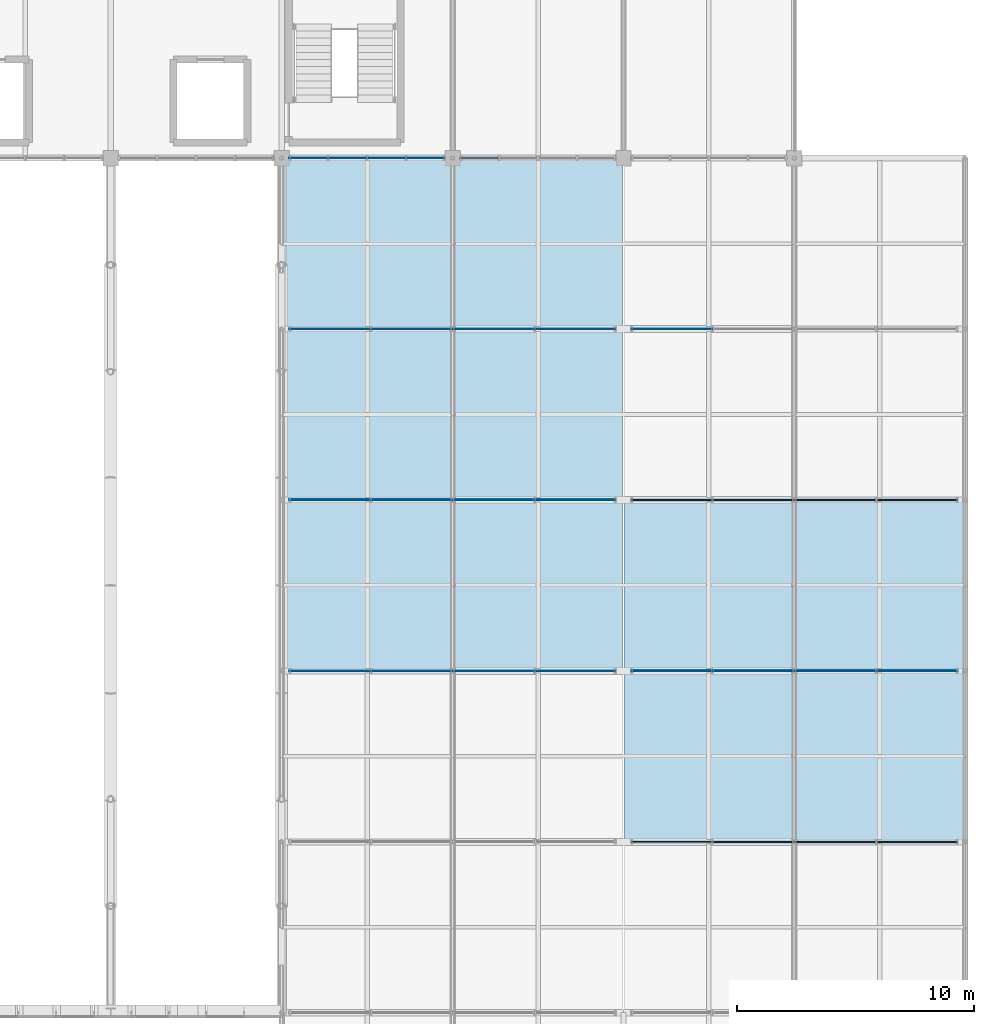
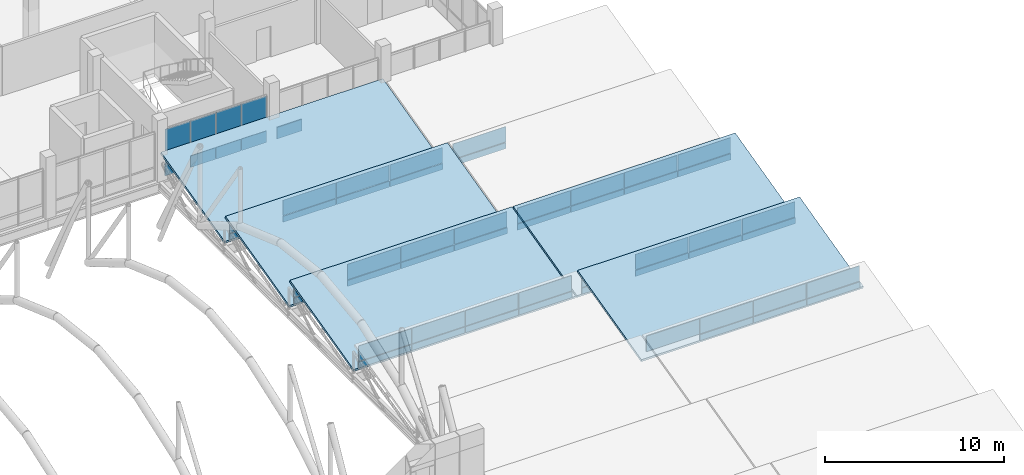
# One storey, part 95 of 144: 58 plates, 5 slabs, 10 elements without a shape of their own.
"""IFC4 building model written with IfcOpenShell, lengths in metres."""

from ifc_helpers import new_model, si_unit, direction, frame, origin, origin_2d, place, context, subcontext, project, spatial, polyline, rectangle, outline, extrude, material, layer, layer_set, type_object, element, aggregate, save


model = new_model("IFC4")

# Units and contexts
model_context = context("Model", 3, precision=1e-05, world=origin(), true_north=direction((0.0, 1.0)))
body_context = subcontext(model_context, "Body", "Model", "MODEL_VIEW")
ifc_project = project(units=[si_unit("LENGTHUNIT", "METRE"), si_unit("AREAUNIT", "SQUARE_METRE"), si_unit("VOLUMEUNIT", "CUBIC_METRE"), si_unit("PLANEANGLEUNIT", "RADIAN"), si_unit("MASSUNIT", "GRAM", prefix="KILO")], contexts=[model_context])

# Site, building, storey
site_placement = place(None, origin())
site = spatial("IfcSite", under=ifc_project, at=site_placement, CompositionType="ELEMENT")
building_placement = place(site_placement, origin())
building = spatial("IfcBuilding", under=site, at=building_placement, Name="Yarey Park Central Fire Station", CompositionType="ELEMENT")
storey_placement = place(building_placement, frame((0.0, 0.0, 10.199951171875)))
storey = spatial("IfcBuildingStorey", under=building, at=storey_placement, Name="L03", CompositionType="ELEMENT", Elevation=10.199951171875)

# Curtain wall, plates
ifc_material_1 = material(Name="Anodized Aluminium Frame", Category="aluminium")
curtain_wall_type_1 = type_object("IfcCurtainWallType", Name="ENV_CW_HQ_L03", PredefinedType="NOTDEFINED", material=ifc_material_1)
curtain_wall_1_placement = place(storey_placement, origin())
curtain_wall_1 = element("IfcCurtainWall", 1, at=curtain_wall_1_placement, inside=storey, type_object=curtain_wall_type_1, Name="CW_L03_V4_S_4", PredefinedType="NOTDEFINED")
ifc_material_2 = material(Name="Insulated Aluminium Spandrel Panel", Category="aluminium")
ifc_layer_1 = layer(ifc_material_2, 0.055908203125)
ifc_layer_set_1 = layer_set([ifc_layer_1], Name="Insulated Aluminium Spandrel Panel")
plate_type_1 = type_object("IfcPlateType", Name="ENV_PNL_SPN_01", PredefinedType="CURTAIN_PANEL", material=ifc_layer_set_1)
plate_1_placement = place(storey_placement, frame((137.9326171875, 93.60009765625, 0.04248046875), z_axis=(0.0, 0.0, 1.0), x_axis=(1.0, 0.0, 0.0)))
plate_1 = element("IfcPlate", 2, at=plate_1_placement, type_object=plate_type_1, Name="CW_L03_V4_S_4_PNL01", PredefinedType="CURTAIN_PANEL", context=body_context, shape_type="SweptSolid", body=[
    extrude(rectangle(XDim=1.60498046875, YDim=0.055908203125, at=origin_2d()), origin(), (0.0, 0.0, 1.0), 0.7900390625),
])
plate_2_placement = place(storey_placement, frame((139.577392578125, 93.60009765625, 0.04248046875), z_axis=(0.0, 0.0, 1.0), x_axis=(1.0, 0.0, 0.0)))
plate_2 = element("IfcPlate", 3, at=plate_2_placement, type_object=plate_type_1, Name="CW_L03_V4_S_4_PNL03", PredefinedType="CURTAIN_PANEL", context=body_context, shape_type="SweptSolid", body=[
    extrude(rectangle(XDim=1.60498046875, YDim=0.055908203125, at=origin_2d()), origin(), (0.0, 0.0, 1.0), 0.7900390625),
])
plate_3_placement = place(storey_placement, frame((141.222412109375, 93.60009765625, 0.04248046875), z_axis=(0.0, 0.0, 1.0), x_axis=(1.0, 0.0, 0.0)))
plate_3 = element("IfcPlate", 4, at=plate_3_placement, type_object=plate_type_1, Name="CW_L03_V4_S_4_PNL05", PredefinedType="CURTAIN_PANEL", context=body_context, shape_type="SweptSolid", body=[
    extrude(rectangle(XDim=1.60498046875, YDim=0.055908203125, at=origin_2d()), origin(), (0.0, 0.0, 1.0), 0.7900390625),
])
plate_4_placement = place(storey_placement, frame((142.867431640625, 93.60009765625, 0.04248046875), z_axis=(0.0, 0.0, 1.0), x_axis=(1.0, 0.0, 0.0)))
plate_4 = element("IfcPlate", 5, at=plate_4_placement, type_object=plate_type_1, Name="CW_L03_V4_S_4_PNL07", PredefinedType="CURTAIN_PANEL", context=body_context, shape_type="SweptSolid", body=[
    extrude(rectangle(XDim=1.60498046875, YDim=0.055908203125, at=origin_2d()), origin(), (0.0, 0.0, 1.0), 0.7900390625),
])

curtain_wall_type_2 = type_object("IfcCurtainWallType", Name="ENV_CW_SAW_18", PredefinedType="NOTDEFINED", material=ifc_material_1)
curtain_wall_2_placement = place(storey_placement, origin())
curtain_wall_2 = element("IfcCurtainWall", 6, at=curtain_wall_2_placement, inside=storey, type_object=curtain_wall_type_2, Name="CW_L03_SAW_4_1", PredefinedType="NOTDEFINED")
plate_5_placement = place(storey_placement, frame((149.16748046875, 72.0, 0.04248046875), z_axis=(0.0, 0.0, 1.0), x_axis=(-1.0, 0.0, 0.0)))
plate_5 = element("IfcPlate", 7, at=plate_5_placement, type_object=plate_type_1, Name="CW_L03_SAW_4_1_PNL01", PredefinedType="CURTAIN_PANEL", context=body_context, shape_type="SweptSolid", body=[
    extrude(rectangle(XDim=3.405029296875, YDim=0.055908203125, at=origin_2d()), origin(), (0.0, 0.0, 1.0), 0.4140625),
])
plate_6_placement = place(storey_placement, frame((145.722412109375, 72.0, 0.04248046875), z_axis=(0.0, 0.0, 1.0), x_axis=(-1.0, 0.0, 0.0)))
plate_6 = element("IfcPlate", 8, at=plate_6_placement, type_object=plate_type_1, Name="CW_L03_SAW_4_1_PNL03", PredefinedType="CURTAIN_PANEL", context=body_context, shape_type="SweptSolid", body=[
    extrude(rectangle(XDim=3.405029296875, YDim=0.055908203125, at=origin_2d()), origin(), (0.0, 0.0, 1.0), 0.4140625),
])
plate_7_placement = place(storey_placement, frame((142.277587890625, 72.0, 0.04248046875), z_axis=(0.0, 0.0, 1.0), x_axis=(-1.0, 0.0, 0.0)))
plate_7 = element("IfcPlate", 9, at=plate_7_placement, type_object=plate_type_1, Name="CW_L03_SAW_4_1_PNL05", PredefinedType="CURTAIN_PANEL", context=body_context, shape_type="SweptSolid", body=[
    extrude(rectangle(XDim=3.405029296875, YDim=0.055908203125, at=origin_2d()), origin(), (0.0, 0.0, 1.0), 0.4140625),
])
plate_8_placement = place(storey_placement, frame((138.83251953125, 72.0, 0.04248046875), z_axis=(0.0, 0.0, 1.0), x_axis=(-1.0, 0.0, 0.0)))
plate_8 = element("IfcPlate", 10, at=plate_8_placement, type_object=plate_type_1, Name="CW_L03_SAW_4_1_PNL07", PredefinedType="CURTAIN_PANEL", context=body_context, shape_type="SweptSolid", body=[
    extrude(rectangle(XDim=3.405029296875, YDim=0.055908203125, at=origin_2d()), origin(), (0.0, 0.0, 1.0), 0.4140625),
])

curtain_wall_3_placement = place(storey_placement, origin())
curtain_wall_3 = element("IfcCurtainWall", 11, at=curtain_wall_3_placement, inside=storey, type_object=curtain_wall_type_2, Name="CW_L03_SAW_6_1", PredefinedType="NOTDEFINED")
plate_9_placement = place(storey_placement, frame((149.16748046875, 86.39990234375, 0.04248046875), z_axis=(0.0, 0.0, 1.0), x_axis=(-1.0, 0.0, 0.0)))
plate_9 = element("IfcPlate", 12, at=plate_9_placement, type_object=plate_type_1, Name="CW_L03_SAW_6_1_PNL01", PredefinedType="CURTAIN_PANEL", context=body_context, shape_type="SweptSolid", body=[
    extrude(rectangle(XDim=3.405029296875, YDim=0.055908203125, at=origin_2d()), origin(), (0.0, 0.0, 1.0), 0.4140625),
])
plate_10_placement = place(storey_placement, frame((145.722412109375, 86.39990234375, 0.04248046875), z_axis=(0.0, 0.0, 1.0), x_axis=(-1.0, 0.0, 0.0)))
plate_10 = element("IfcPlate", 13, at=plate_10_placement, type_object=plate_type_1, Name="CW_L03_SAW_6_1_PNL03", PredefinedType="CURTAIN_PANEL", context=body_context, shape_type="SweptSolid", body=[
    extrude(rectangle(XDim=3.405029296875, YDim=0.055908203125, at=origin_2d()), origin(), (0.0, 0.0, 1.0), 0.4140625),
])
plate_11_placement = place(storey_placement, frame((142.277587890625, 86.39990234375, 0.04248046875), z_axis=(0.0, 0.0, 1.0), x_axis=(-1.0, 0.0, 0.0)))
plate_11 = element("IfcPlate", 14, at=plate_11_placement, type_object=plate_type_1, Name="CW_L03_SAW_6_1_PNL05", PredefinedType="CURTAIN_PANEL", context=body_context, shape_type="SweptSolid", body=[
    extrude(rectangle(XDim=3.405029296875, YDim=0.055908203125, at=origin_2d()), origin(), (0.0, 0.0, 1.0), 0.4140625),
])
plate_12_placement = place(storey_placement, frame((138.83251953125, 86.39990234375, 0.04248046875), z_axis=(0.0, 0.0, 1.0), x_axis=(-1.0, 0.0, 0.0)))
plate_12 = element("IfcPlate", 15, at=plate_12_placement, type_object=plate_type_1, Name="CW_L03_SAW_6_1_PNL07", PredefinedType="CURTAIN_PANEL", context=body_context, shape_type="SweptSolid", body=[
    extrude(rectangle(XDim=3.405029296875, YDim=0.055908203125, at=origin_2d()), origin(), (0.0, 0.0, 1.0), 0.4140625),
])

curtain_wall_4_placement = place(storey_placement, origin())
curtain_wall_4 = element("IfcCurtainWall", 16, at=curtain_wall_4_placement, inside=storey, type_object=curtain_wall_type_2, Name="CW_L03_SAW_4_2", PredefinedType="NOTDEFINED")
ifc_layer_2 = layer(ifc_material_2, 0.068115234375)
ifc_layer_set_2 = layer_set([ifc_layer_2], Name="Insulated Aluminium Spandrel Panel")
plate_type_2 = type_object("IfcPlateType", Name="ENV_PNL_SPN_02", PredefinedType="CURTAIN_PANEL", material=ifc_layer_set_2)
plate_13_placement = place(storey_placement, frame((163.5673828125, 72.0, 0.04248046875), z_axis=(0.0, 0.0, 1.0), x_axis=(-1.0, 0.0, 0.0)))
plate_13 = element("IfcPlate", 17, at=plate_13_placement, type_object=plate_type_2, Name="CW_L03_SAW_4_2_PNL01", PredefinedType="CURTAIN_PANEL", context=body_context, shape_type="SweptSolid", body=[
    extrude(rectangle(XDim=3.405029296875, YDim=0.068115234375, at=origin_2d()), origin(), (0.0, 0.0, 1.0), 0.4140625),
])
plate_14_placement = place(storey_placement, frame((160.12255859375, 72.0, 0.04248046875), z_axis=(0.0, 0.0, 1.0), x_axis=(-1.0, 0.0, 0.0)))
plate_14 = element("IfcPlate", 18, at=plate_14_placement, type_object=plate_type_2, Name="CW_L03_SAW_4_2_PNL03", PredefinedType="CURTAIN_PANEL", context=body_context, shape_type="SweptSolid", body=[
    extrude(rectangle(XDim=3.405029296875, YDim=0.068115234375, at=origin_2d()), origin(), (0.0, 0.0, 1.0), 0.4140625),
])
plate_15_placement = place(storey_placement, frame((156.677490234375, 72.0, 0.04248046875), z_axis=(0.0, 0.0, 1.0), x_axis=(-1.0, 0.0, 0.0)))
plate_15 = element("IfcPlate", 19, at=plate_15_placement, type_object=plate_type_2, Name="CW_L03_SAW_4_2_PNL05", PredefinedType="CURTAIN_PANEL", context=body_context, shape_type="SweptSolid", body=[
    extrude(rectangle(XDim=3.405029296875, YDim=0.068115234375, at=origin_2d()), origin(), (0.0, 0.0, 1.0), 0.4140625),
])
plate_16_placement = place(storey_placement, frame((153.232421875, 72.0, 0.04248046875), z_axis=(0.0, 0.0, 1.0), x_axis=(-1.0, 0.0, 0.0)))
plate_16 = element("IfcPlate", 20, at=plate_16_placement, type_object=plate_type_2, Name="CW_L03_SAW_4_2_PNL07", PredefinedType="CURTAIN_PANEL", context=body_context, shape_type="SweptSolid", body=[
    extrude(rectangle(XDim=3.405029296875, YDim=0.068115234375, at=origin_2d()), origin(), (0.0, 0.0, 1.0), 0.4140625),
])

# Curtain wall, plate
curtain_wall_5_placement = place(storey_placement, origin())
curtain_wall_5 = element("IfcCurtainWall", 21, at=curtain_wall_5_placement, inside=storey, type_object=curtain_wall_type_2, Name="CW_L03_SAW_6_2", PredefinedType="NOTDEFINED")
plate_17_placement = place(storey_placement, frame((153.232421875, 86.39990234375, 0.04248046875), z_axis=(0.0, 0.0, 1.0), x_axis=(-1.0, 0.0, 0.0)))
plate_17 = element("IfcPlate", 22, at=plate_17_placement, type_object=plate_type_2, Name="CW_L03_SAW_6_2_PNL07", PredefinedType="CURTAIN_PANEL", context=body_context, shape_type="SweptSolid", body=[
    extrude(rectangle(XDim=3.405029296875, YDim=0.068115234375, at=origin_2d()), origin(), (0.0, 0.0, 1.0), 0.4140625),
])

curtain_wall_6_placement = place(storey_placement, origin())
curtain_wall_6 = element("IfcCurtainWall", 23, at=curtain_wall_6_placement, inside=storey, type_object=curtain_wall_type_1, Name="CW_L03_V4_S_5", PredefinedType="NOTDEFINED")
ifc_layer_3 = layer(ifc_material_2, 0.077880859375)
ifc_layer_set_3 = layer_set([ifc_layer_3], Name="Insulated Aluminium Spandrel Panel")
plate_type_3 = type_object("IfcPlateType", Name="ENV_PNL_SPN_03", PredefinedType="CURTAIN_PANEL", material=ifc_layer_set_3)
plate_18_placement = place(storey_placement, frame((145.132568359375, 93.60009765625, 0.04248046875), z_axis=(0.0, 0.0, 1.0), x_axis=(1.0, 0.0, 0.0)))
plate_18 = element("IfcPlate", 24, at=plate_18_placement, type_object=plate_type_3, Name="CW_L03_V4_S_5_PNL01", PredefinedType="CURTAIN_PANEL", context=body_context, shape_type="SweptSolid", body=[
    extrude(rectangle(XDim=1.60498046875, YDim=0.077880859375, at=origin_2d()), origin(), (0.0, 0.0, 1.0), 0.7900390625),
])
aggregate(curtain_wall_6, [plate_18])

# Curtain wall, plates
curtain_wall_7_placement = place(storey_placement, origin())
curtain_wall_7 = element("IfcCurtainWall", 25, at=curtain_wall_7_placement, inside=storey, type_object=curtain_wall_type_2, Name="CW_L03_SAW_5_1", PredefinedType="NOTDEFINED")
plate_19_placement = place(storey_placement, frame((149.16748046875, 79.199951171875, 0.04248046875), z_axis=(0.0, 0.0, 1.0), x_axis=(-1.0, 0.0, 0.0)))
plate_19 = element("IfcPlate", 26, at=plate_19_placement, type_object=plate_type_3, Name="CW_L03_SAW_5_1_PNL01", PredefinedType="CURTAIN_PANEL", context=body_context, shape_type="SweptSolid", body=[
    extrude(rectangle(XDim=3.405029296875, YDim=0.077880859375, at=origin_2d()), origin(), (0.0, 0.0, 1.0), 0.4140625),
])
plate_20_placement = place(storey_placement, frame((145.722412109375, 79.199951171875, 0.04248046875), z_axis=(0.0, 0.0, 1.0), x_axis=(-1.0, 0.0, 0.0)))
plate_20 = element("IfcPlate", 27, at=plate_20_placement, type_object=plate_type_3, Name="CW_L03_SAW_5_1_PNL03", PredefinedType="CURTAIN_PANEL", context=body_context, shape_type="SweptSolid", body=[
    extrude(rectangle(XDim=3.405029296875, YDim=0.077880859375, at=origin_2d()), origin(), (0.0, 0.0, 1.0), 0.4140625),
])
plate_21_placement = place(storey_placement, frame((142.277587890625, 79.199951171875, 0.04248046875), z_axis=(0.0, 0.0, 1.0), x_axis=(-1.0, 0.0, 0.0)))
plate_21 = element("IfcPlate", 28, at=plate_21_placement, type_object=plate_type_3, Name="CW_L03_SAW_5_1_PNL05", PredefinedType="CURTAIN_PANEL", context=body_context, shape_type="SweptSolid", body=[
    extrude(rectangle(XDim=3.405029296875, YDim=0.077880859375, at=origin_2d()), origin(), (0.0, 0.0, 1.0), 0.4140625),
])
plate_22_placement = place(storey_placement, frame((138.83251953125, 79.199951171875, 0.04248046875), z_axis=(0.0, 0.0, 1.0), x_axis=(-1.0, 0.0, 0.0)))
plate_22 = element("IfcPlate", 29, at=plate_22_placement, type_object=plate_type_3, Name="CW_L03_SAW_5_1_PNL07", PredefinedType="CURTAIN_PANEL", context=body_context, shape_type="SweptSolid", body=[
    extrude(rectangle(XDim=3.405029296875, YDim=0.077880859375, at=origin_2d()), origin(), (0.0, 0.0, 1.0), 0.4140625),
])

curtain_wall_8_placement = place(storey_placement, origin())
curtain_wall_8 = element("IfcCurtainWall", 30, at=curtain_wall_8_placement, inside=storey, type_object=curtain_wall_type_2, Name="CW_L03_SAW_3_2", PredefinedType="NOTDEFINED")
ifc_layer_4 = layer(ifc_material_2, 0.087890625)
ifc_layer_set_4 = layer_set([ifc_layer_4], Name="Insulated Aluminium Spandrel Panel")
plate_type_4 = type_object("IfcPlateType", Name="ENV_PNL_SPN_04", PredefinedType="CURTAIN_PANEL", material=ifc_layer_set_4)
plate_23_placement = place(storey_placement, frame((163.5673828125, 64.800048828125, 0.04248046875), z_axis=(0.0, 0.0, 1.0), x_axis=(-1.0, 0.0, 0.0)))
plate_23 = element("IfcPlate", 31, at=plate_23_placement, type_object=plate_type_4, Name="CW_L03_SAW_3_2_PNL01", PredefinedType="CURTAIN_PANEL", context=body_context, shape_type="SweptSolid", body=[
    extrude(rectangle(XDim=3.405029296875, YDim=0.087890625, at=origin_2d()), origin(), (0.0, 0.0, 1.0), 0.4140625),
])
plate_24_placement = place(storey_placement, frame((160.12255859375, 64.800048828125, 0.04248046875), z_axis=(0.0, 0.0, 1.0), x_axis=(-1.0, 0.0, 0.0)))
plate_24 = element("IfcPlate", 32, at=plate_24_placement, type_object=plate_type_4, Name="CW_L03_SAW_3_2_PNL03", PredefinedType="CURTAIN_PANEL", context=body_context, shape_type="SweptSolid", body=[
    extrude(rectangle(XDim=3.405029296875, YDim=0.087890625, at=origin_2d()), origin(), (0.0, 0.0, 1.0), 0.4140625),
])
plate_25_placement = place(storey_placement, frame((156.677490234375, 64.800048828125, 0.04248046875), z_axis=(0.0, 0.0, 1.0), x_axis=(-1.0, 0.0, 0.0)))
plate_25 = element("IfcPlate", 33, at=plate_25_placement, type_object=plate_type_4, Name="CW_L03_SAW_3_2_PNL05", PredefinedType="CURTAIN_PANEL", context=body_context, shape_type="SweptSolid", body=[
    extrude(rectangle(XDim=3.405029296875, YDim=0.087890625, at=origin_2d()), origin(), (0.0, 0.0, 1.0), 0.4140625),
])

curtain_wall_9_placement = place(storey_placement, origin())
curtain_wall_9 = element("IfcCurtainWall", 34, at=curtain_wall_9_placement, inside=storey, type_object=curtain_wall_type_2, Name="CW_L03_SAW_5_2", PredefinedType="NOTDEFINED")
plate_26_placement = place(storey_placement, frame((163.5673828125, 79.199951171875, 0.04248046875), z_axis=(0.0, 0.0, 1.0), x_axis=(-1.0, 0.0, 0.0)))
plate_26 = element("IfcPlate", 35, at=plate_26_placement, type_object=plate_type_4, Name="CW_L03_SAW_5_2_PNL01", PredefinedType="CURTAIN_PANEL", context=body_context, shape_type="SweptSolid", body=[
    extrude(rectangle(XDim=3.405029296875, YDim=0.087890625, at=origin_2d()), origin(), (0.0, 0.0, 1.0), 0.4140625),
])
plate_27_placement = place(storey_placement, frame((160.12255859375, 79.199951171875, 0.04248046875), z_axis=(0.0, 0.0, 1.0), x_axis=(-1.0, 0.0, 0.0)))
plate_27 = element("IfcPlate", 36, at=plate_27_placement, type_object=plate_type_4, Name="CW_L03_SAW_5_2_PNL03", PredefinedType="CURTAIN_PANEL", context=body_context, shape_type="SweptSolid", body=[
    extrude(rectangle(XDim=3.405029296875, YDim=0.087890625, at=origin_2d()), origin(), (0.0, 0.0, 1.0), 0.4140625),
])
plate_28_placement = place(storey_placement, frame((156.677490234375, 79.199951171875, 0.04248046875), z_axis=(0.0, 0.0, 1.0), x_axis=(-1.0, 0.0, 0.0)))
plate_28 = element("IfcPlate", 37, at=plate_28_placement, type_object=plate_type_4, Name="CW_L03_SAW_5_2_PNL05", PredefinedType="CURTAIN_PANEL", context=body_context, shape_type="SweptSolid", body=[
    extrude(rectangle(XDim=3.405029296875, YDim=0.087890625, at=origin_2d()), origin(), (0.0, 0.0, 1.0), 0.4140625),
])
plate_29_placement = place(storey_placement, frame((153.232421875, 79.199951171875, 0.04248046875), z_axis=(0.0, 0.0, 1.0), x_axis=(-1.0, 0.0, 0.0)))
plate_29 = element("IfcPlate", 38, at=plate_29_placement, type_object=plate_type_4, Name="CW_L03_SAW_5_2_PNL07", PredefinedType="CURTAIN_PANEL", context=body_context, shape_type="SweptSolid", body=[
    extrude(rectangle(XDim=3.405029296875, YDim=0.087890625, at=origin_2d()), origin(), (0.0, 0.0, 1.0), 0.4140625),
])

# Plate
ifc_material_3 = material(Name="Laminated Hurricane Low-E Glass", Category="glass")
ifc_layer_5 = layer(ifc_material_3, 0.02392578125)
ifc_layer_set_5 = layer_set([ifc_layer_5], Name="Laminated Hurricane Low-E Glass")
plate_type_5 = type_object("IfcPlateType", Name="ENV_PNL_VIS_01", PredefinedType="CURTAIN_PANEL", material=ifc_layer_set_5)
plate_30_placement = place(storey_placement, frame((137.9326171875, 93.60009765625, 0.86767578125), z_axis=(0.0, 0.0, 1.0), x_axis=(1.0, 0.0, 0.0)))
plate_30 = element("IfcPlate", 39, at=plate_30_placement, type_object=plate_type_5, Name="CW_L03_V4_S_4_PNL02", PredefinedType="CURTAIN_PANEL", context=body_context, shape_type="SweptSolid", body=[
    extrude(rectangle(XDim=1.60498046875, YDim=0.02392578125, at=origin_2d()), origin(), (0.0, 0.0, 1.0), 2.340087890625),
])

plate_31_placement = place(storey_placement, frame((139.577392578125, 93.60009765625, 0.86767578125), z_axis=(0.0, 0.0, 1.0), x_axis=(1.0, 0.0, 0.0)))
plate_31 = element("IfcPlate", 40, at=plate_31_placement, type_object=plate_type_5, Name="CW_L03_V4_S_4_PNL04", PredefinedType="CURTAIN_PANEL", context=body_context, shape_type="SweptSolid", body=[
    extrude(rectangle(XDim=1.60498046875, YDim=0.02392578125, at=origin_2d()), origin(), (0.0, 0.0, 1.0), 2.340087890625),
])

plate_32_placement = place(storey_placement, frame((141.222412109375, 93.60009765625, 0.86767578125), z_axis=(0.0, 0.0, 1.0), x_axis=(1.0, 0.0, 0.0)))
plate_32 = element("IfcPlate", 41, at=plate_32_placement, type_object=plate_type_5, Name="CW_L03_V4_S_4_PNL06", PredefinedType="CURTAIN_PANEL", context=body_context, shape_type="SweptSolid", body=[
    extrude(rectangle(XDim=1.60498046875, YDim=0.02392578125, at=origin_2d()), origin(), (0.0, 0.0, 1.0), 2.340087890625),
])

plate_33_placement = place(storey_placement, frame((142.867431640625, 93.60009765625, 0.86767578125), z_axis=(0.0, 0.0, 1.0), x_axis=(1.0, 0.0, 0.0)))
plate_33 = element("IfcPlate", 42, at=plate_33_placement, type_object=plate_type_5, Name="CW_L03_V4_S_4_PNL08", PredefinedType="CURTAIN_PANEL", context=body_context, shape_type="SweptSolid", body=[
    extrude(rectangle(XDim=1.60498046875, YDim=0.02392578125, at=origin_2d()), origin(), (0.0, 0.0, 1.0), 2.340087890625),
])

aggregate(curtain_wall_1, [plate_1, plate_30, plate_2, plate_31, plate_3, plate_32, plate_4, plate_33])

plate_34_placement = place(storey_placement, frame((149.16748046875, 72.0, 0.49169921875), z_axis=(0.0, 0.0, 1.0), x_axis=(-1.0, 0.0, 0.0)))
plate_34 = element("IfcPlate", 43, at=plate_34_placement, type_object=plate_type_5, Name="CW_L03_SAW_4_1_PNL02", PredefinedType="CURTAIN_PANEL", context=body_context, shape_type="SweptSolid", body=[
    extrude(rectangle(XDim=3.405029296875, YDim=0.02392578125, at=origin_2d()), origin(), (0.0, 0.0, 1.0), 1.0458984375),
])

plate_35_placement = place(storey_placement, frame((145.722412109375, 72.0, 0.49169921875), z_axis=(0.0, 0.0, 1.0), x_axis=(-1.0, 0.0, 0.0)))
plate_35 = element("IfcPlate", 44, at=plate_35_placement, type_object=plate_type_5, Name="CW_L03_SAW_4_1_PNL04", PredefinedType="CURTAIN_PANEL", context=body_context, shape_type="SweptSolid", body=[
    extrude(rectangle(XDim=3.405029296875, YDim=0.02392578125, at=origin_2d()), origin(), (0.0, 0.0, 1.0), 1.0458984375),
])

plate_36_placement = place(storey_placement, frame((142.277587890625, 72.0, 0.49169921875), z_axis=(0.0, 0.0, 1.0), x_axis=(-1.0, 0.0, 0.0)))
plate_36 = element("IfcPlate", 45, at=plate_36_placement, type_object=plate_type_5, Name="CW_L03_SAW_4_1_PNL06", PredefinedType="CURTAIN_PANEL", context=body_context, shape_type="SweptSolid", body=[
    extrude(rectangle(XDim=3.405029296875, YDim=0.02392578125, at=origin_2d()), origin(), (0.0, 0.0, 1.0), 1.0458984375),
])

plate_37_placement = place(storey_placement, frame((138.83251953125, 72.0, 0.49169921875), z_axis=(0.0, 0.0, 1.0), x_axis=(-1.0, 0.0, 0.0)))
plate_37 = element("IfcPlate", 46, at=plate_37_placement, type_object=plate_type_5, Name="CW_L03_SAW_4_1_PNL08", PredefinedType="CURTAIN_PANEL", context=body_context, shape_type="SweptSolid", body=[
    extrude(rectangle(XDim=3.405029296875, YDim=0.02392578125, at=origin_2d()), origin(), (0.0, 0.0, 1.0), 1.0458984375),
])

aggregate(curtain_wall_2, [plate_5, plate_34, plate_6, plate_35, plate_7, plate_36, plate_8, plate_37])

plate_38_placement = place(storey_placement, frame((149.16748046875, 86.39990234375, 0.49169921875), z_axis=(0.0, 0.0, 1.0), x_axis=(-1.0, 0.0, 0.0)))
plate_38 = element("IfcPlate", 47, at=plate_38_placement, type_object=plate_type_5, Name="CW_L03_SAW_6_1_PNL02", PredefinedType="CURTAIN_PANEL", context=body_context, shape_type="SweptSolid", body=[
    extrude(rectangle(XDim=3.405029296875, YDim=0.02392578125, at=origin_2d()), origin(), (0.0, 0.0, 1.0), 1.0458984375),
])

plate_39_placement = place(storey_placement, frame((145.722412109375, 86.39990234375, 0.49169921875), z_axis=(0.0, 0.0, 1.0), x_axis=(-1.0, 0.0, 0.0)))
plate_39 = element("IfcPlate", 48, at=plate_39_placement, type_object=plate_type_5, Name="CW_L03_SAW_6_1_PNL04", PredefinedType="CURTAIN_PANEL", context=body_context, shape_type="SweptSolid", body=[
    extrude(rectangle(XDim=3.405029296875, YDim=0.02392578125, at=origin_2d()), origin(), (0.0, 0.0, 1.0), 1.0458984375),
])

plate_40_placement = place(storey_placement, frame((142.277587890625, 86.39990234375, 0.49169921875), z_axis=(0.0, 0.0, 1.0), x_axis=(-1.0, 0.0, 0.0)))
plate_40 = element("IfcPlate", 49, at=plate_40_placement, type_object=plate_type_5, Name="CW_L03_SAW_6_1_PNL06", PredefinedType="CURTAIN_PANEL", context=body_context, shape_type="SweptSolid", body=[
    extrude(rectangle(XDim=3.405029296875, YDim=0.02392578125, at=origin_2d()), origin(), (0.0, 0.0, 1.0), 1.0458984375),
])

plate_41_placement = place(storey_placement, frame((138.83251953125, 86.39990234375, 0.49169921875), z_axis=(0.0, 0.0, 1.0), x_axis=(-1.0, 0.0, 0.0)))
plate_41 = element("IfcPlate", 50, at=plate_41_placement, type_object=plate_type_5, Name="CW_L03_SAW_6_1_PNL08", PredefinedType="CURTAIN_PANEL", context=body_context, shape_type="SweptSolid", body=[
    extrude(rectangle(XDim=3.405029296875, YDim=0.02392578125, at=origin_2d()), origin(), (0.0, 0.0, 1.0), 1.0458984375),
])

aggregate(curtain_wall_3, [plate_9, plate_38, plate_10, plate_39, plate_11, plate_40, plate_12, plate_41])

ifc_layer_6 = layer(ifc_material_3, 0.031982421875)
ifc_layer_set_6 = layer_set([ifc_layer_6], Name="Laminated Hurricane Low-E Glass")
plate_type_6 = type_object("IfcPlateType", Name="ENV_PNL_VIS_02", PredefinedType="CURTAIN_PANEL", material=ifc_layer_set_6)
plate_42_placement = place(storey_placement, frame((163.5673828125, 72.0, 0.49169921875), z_axis=(0.0, 0.0, 1.0), x_axis=(-1.0, 0.0, 0.0)))
plate_42 = element("IfcPlate", 51, at=plate_42_placement, type_object=plate_type_6, Name="CW_L03_SAW_4_2_PNL02", PredefinedType="CURTAIN_PANEL", context=body_context, shape_type="SweptSolid", body=[
    extrude(rectangle(XDim=3.405029296875, YDim=0.031982421875, at=origin_2d()), origin(), (0.0, 0.0, 1.0), 1.0458984375),
])

plate_43_placement = place(storey_placement, frame((160.12255859375, 72.0, 0.49169921875), z_axis=(0.0, 0.0, 1.0), x_axis=(-1.0, 0.0, 0.0)))
plate_43 = element("IfcPlate", 52, at=plate_43_placement, type_object=plate_type_6, Name="CW_L03_SAW_4_2_PNL04", PredefinedType="CURTAIN_PANEL", context=body_context, shape_type="SweptSolid", body=[
    extrude(rectangle(XDim=3.405029296875, YDim=0.031982421875, at=origin_2d()), origin(), (0.0, 0.0, 1.0), 1.0458984375),
])

plate_44_placement = place(storey_placement, frame((156.677490234375, 72.0, 0.49169921875), z_axis=(0.0, 0.0, 1.0), x_axis=(-1.0, 0.0, 0.0)))
plate_44 = element("IfcPlate", 53, at=plate_44_placement, type_object=plate_type_6, Name="CW_L03_SAW_4_2_PNL06", PredefinedType="CURTAIN_PANEL", context=body_context, shape_type="SweptSolid", body=[
    extrude(rectangle(XDim=3.405029296875, YDim=0.031982421875, at=origin_2d()), origin(), (0.0, 0.0, 1.0), 1.0458984375),
])

plate_45_placement = place(storey_placement, frame((153.232421875, 72.0, 0.49169921875), z_axis=(0.0, 0.0, 1.0), x_axis=(-1.0, 0.0, 0.0)))
plate_45 = element("IfcPlate", 54, at=plate_45_placement, type_object=plate_type_6, Name="CW_L03_SAW_4_2_PNL08", PredefinedType="CURTAIN_PANEL", context=body_context, shape_type="SweptSolid", body=[
    extrude(rectangle(XDim=3.405029296875, YDim=0.031982421875, at=origin_2d()), origin(), (0.0, 0.0, 1.0), 1.0458984375),
])

aggregate(curtain_wall_4, [plate_13, plate_42, plate_14, plate_43, plate_15, plate_44, plate_16, plate_45])

plate_46_placement = place(storey_placement, frame((153.232421875, 86.39990234375, 0.49169921875), z_axis=(0.0, 0.0, 1.0), x_axis=(-1.0, 0.0, 0.0)))
plate_46 = element("IfcPlate", 55, at=plate_46_placement, type_object=plate_type_6, Name="CW_L03_SAW_6_2_PNL08", PredefinedType="CURTAIN_PANEL", context=body_context, shape_type="SweptSolid", body=[
    extrude(rectangle(XDim=3.405029296875, YDim=0.031982421875, at=origin_2d()), origin(), (0.0, 0.0, 1.0), 1.0458984375),
])

aggregate(curtain_wall_5, [plate_17, plate_46])

ifc_layer_7 = layer(ifc_material_3, 0.0380859375)
ifc_layer_set_7 = layer_set([ifc_layer_7], Name="Laminated Hurricane Low-E Glass")
plate_type_7 = type_object("IfcPlateType", Name="ENV_PNL_VIS_03", PredefinedType="CURTAIN_PANEL", material=ifc_layer_set_7)
plate_47_placement = place(storey_placement, frame((149.16748046875, 79.199951171875, 0.49169921875), z_axis=(0.0, 0.0, 1.0), x_axis=(-1.0, 0.0, 0.0)))
plate_47 = element("IfcPlate", 56, at=plate_47_placement, type_object=plate_type_7, Name="CW_L03_SAW_5_1_PNL02", PredefinedType="CURTAIN_PANEL", context=body_context, shape_type="SweptSolid", body=[
    extrude(rectangle(XDim=3.405029296875, YDim=0.0380859375, at=origin_2d()), origin(), (0.0, 0.0, 1.0), 1.0458984375),
])

plate_48_placement = place(storey_placement, frame((145.722412109375, 79.199951171875, 0.49169921875), z_axis=(0.0, 0.0, 1.0), x_axis=(-1.0, 0.0, 0.0)))
plate_48 = element("IfcPlate", 57, at=plate_48_placement, type_object=plate_type_7, Name="CW_L03_SAW_5_1_PNL04", PredefinedType="CURTAIN_PANEL", context=body_context, shape_type="SweptSolid", body=[
    extrude(rectangle(XDim=3.405029296875, YDim=0.0380859375, at=origin_2d()), origin(), (0.0, 0.0, 1.0), 1.0458984375),
])

plate_49_placement = place(storey_placement, frame((142.277587890625, 79.199951171875, 0.49169921875), z_axis=(0.0, 0.0, 1.0), x_axis=(-1.0, 0.0, 0.0)))
plate_49 = element("IfcPlate", 58, at=plate_49_placement, type_object=plate_type_7, Name="CW_L03_SAW_5_1_PNL06", PredefinedType="CURTAIN_PANEL", context=body_context, shape_type="SweptSolid", body=[
    extrude(rectangle(XDim=3.405029296875, YDim=0.0380859375, at=origin_2d()), origin(), (0.0, 0.0, 1.0), 1.0458984375),
])

plate_50_placement = place(storey_placement, frame((138.83251953125, 79.199951171875, 0.49169921875), z_axis=(0.0, 0.0, 1.0), x_axis=(-1.0, 0.0, 0.0)))
plate_50 = element("IfcPlate", 59, at=plate_50_placement, type_object=plate_type_7, Name="CW_L03_SAW_5_1_PNL08", PredefinedType="CURTAIN_PANEL", context=body_context, shape_type="SweptSolid", body=[
    extrude(rectangle(XDim=3.405029296875, YDim=0.0380859375, at=origin_2d()), origin(), (0.0, 0.0, 1.0), 1.0458984375),
])

aggregate(curtain_wall_7, [plate_19, plate_47, plate_20, plate_48, plate_21, plate_49, plate_22, plate_50])

ifc_layer_8 = layer(ifc_material_3, 0.0458984375)
ifc_layer_set_8 = layer_set([ifc_layer_8], Name="Laminated Hurricane Low-E Glass")
plate_type_8 = type_object("IfcPlateType", Name="ENV_PNL_VIS_04", PredefinedType="CURTAIN_PANEL", material=ifc_layer_set_8)
plate_51_placement = place(storey_placement, frame((163.5673828125, 64.800048828125, 0.49169921875), z_axis=(0.0, 0.0, 1.0), x_axis=(-1.0, 0.0, 0.0)))
plate_51 = element("IfcPlate", 60, at=plate_51_placement, type_object=plate_type_8, Name="CW_L03_SAW_3_2_PNL02", PredefinedType="CURTAIN_PANEL", context=body_context, shape_type="SweptSolid", body=[
    extrude(rectangle(XDim=3.405029296875, YDim=0.0458984375, at=origin_2d()), origin(), (0.0, 0.0, 1.0), 1.0458984375),
])

plate_52_placement = place(storey_placement, frame((160.12255859375, 64.800048828125, 0.49169921875), z_axis=(0.0, 0.0, 1.0), x_axis=(-1.0, 0.0, 0.0)))
plate_52 = element("IfcPlate", 61, at=plate_52_placement, type_object=plate_type_8, Name="CW_L03_SAW_3_2_PNL04", PredefinedType="CURTAIN_PANEL", context=body_context, shape_type="SweptSolid", body=[
    extrude(rectangle(XDim=3.405029296875, YDim=0.0458984375, at=origin_2d()), origin(), (0.0, 0.0, 1.0), 1.0458984375),
])

plate_53_placement = place(storey_placement, frame((156.677490234375, 64.800048828125, 0.49169921875), z_axis=(0.0, 0.0, 1.0), x_axis=(-1.0, 0.0, 0.0)))
plate_53 = element("IfcPlate", 62, at=plate_53_placement, type_object=plate_type_8, Name="CW_L03_SAW_3_2_PNL06", PredefinedType="CURTAIN_PANEL", context=body_context, shape_type="SweptSolid", body=[
    extrude(rectangle(XDim=3.405029296875, YDim=0.0458984375, at=origin_2d()), origin(), (0.0, 0.0, 1.0), 1.0458984375),
])

plate_54_placement = place(storey_placement, frame((153.232421875, 64.800048828125, 0.49169921875), z_axis=(0.0, 0.0, 1.0), x_axis=(-1.0, 0.0, 0.0)))
plate_54 = element("IfcPlate", 63, at=plate_54_placement, type_object=plate_type_8, Name="CW_L03_SAW_3_2_PNL08", PredefinedType="CURTAIN_PANEL", context=body_context, shape_type="SweptSolid", body=[
    extrude(rectangle(XDim=3.405029296875, YDim=0.0458984375, at=origin_2d()), origin(), (0.0, 0.0, 1.0), 1.0458984375),
])

aggregate(curtain_wall_8, [plate_23, plate_51, plate_24, plate_52, plate_25, plate_53, plate_54])

plate_55_placement = place(storey_placement, frame((163.5673828125, 79.199951171875, 0.49169921875), z_axis=(0.0, 0.0, 1.0), x_axis=(-1.0, 0.0, 0.0)))
plate_55 = element("IfcPlate", 64, at=plate_55_placement, type_object=plate_type_8, Name="CW_L03_SAW_5_2_PNL02", PredefinedType="CURTAIN_PANEL", context=body_context, shape_type="SweptSolid", body=[
    extrude(rectangle(XDim=3.405029296875, YDim=0.0458984375, at=origin_2d()), origin(), (0.0, 0.0, 1.0), 1.0458984375),
])

plate_56_placement = place(storey_placement, frame((160.12255859375, 79.199951171875, 0.49169921875), z_axis=(0.0, 0.0, 1.0), x_axis=(-1.0, 0.0, 0.0)))
plate_56 = element("IfcPlate", 65, at=plate_56_placement, type_object=plate_type_8, Name="CW_L03_SAW_5_2_PNL04", PredefinedType="CURTAIN_PANEL", context=body_context, shape_type="SweptSolid", body=[
    extrude(rectangle(XDim=3.405029296875, YDim=0.0458984375, at=origin_2d()), origin(), (0.0, 0.0, 1.0), 1.0458984375),
])

plate_57_placement = place(storey_placement, frame((156.677490234375, 79.199951171875, 0.49169921875), z_axis=(0.0, 0.0, 1.0), x_axis=(-1.0, 0.0, 0.0)))
plate_57 = element("IfcPlate", 66, at=plate_57_placement, type_object=plate_type_8, Name="CW_L03_SAW_5_2_PNL06", PredefinedType="CURTAIN_PANEL", context=body_context, shape_type="SweptSolid", body=[
    extrude(rectangle(XDim=3.405029296875, YDim=0.0458984375, at=origin_2d()), origin(), (0.0, 0.0, 1.0), 1.0458984375),
])

plate_58_placement = place(storey_placement, frame((153.232421875, 79.199951171875, 0.49169921875), z_axis=(0.0, 0.0, 1.0), x_axis=(-1.0, 0.0, 0.0)))
plate_58 = element("IfcPlate", 67, at=plate_58_placement, type_object=plate_type_8, Name="CW_L03_SAW_5_2_PNL08", PredefinedType="CURTAIN_PANEL", context=body_context, shape_type="SweptSolid", body=[
    extrude(rectangle(XDim=3.405029296875, YDim=0.0458984375, at=origin_2d()), origin(), (0.0, 0.0, 1.0), 1.0458984375),
])

aggregate(curtain_wall_9, [plate_26, plate_55, plate_27, plate_56, plate_28, plate_57, plate_29, plate_58])

# Roof, slabs
ifc_material_4 = material(Name="Steel ASTM A500 Gr. C", Category="steel")
roof_type = type_object("IfcRoofType", Name="ARCH_ROOF_SAW", PredefinedType="SHED_ROOF", material=ifc_material_4)
roof_placement = place(storey_placement, origin())
roof = element("IfcRoof", 68, at=roof_placement, inside=storey, type_object=roof_type, Name="ROOF_CONTAINER_V5_SAW", PredefinedType="SHED_ROOF")
ifc_material_5 = material(Name="Concrete C40/50", Category="concrete")
ifc_layer_9 = layer(ifc_material_5, 0.1650390625)
ifc_layer_set_9 = layer_set([ifc_layer_9], Name="Concrete C40/50")
slab_type = type_object("IfcSlabType", Name="STR_ROOF_SAW165", PredefinedType="ROOF", material=ifc_layer_set_9)
slab_1_placement = place(storey_placement, frame((151.239990234375, 64.840087890625, 0.0), z_axis=(0.0, -0.241917117179, 0.970296917658), x_axis=(1.0, 0.0, 0.0)))
slab_1 = element("IfcSlab", 69, at=slab_1_placement, type_object=slab_type, Name="ROOF_L03_V5_SAW_4_2", PredefinedType="ROOF", context=body_context, shape_type="SweptSolid", body=[
    extrude(outline(polyline([(0.0, 0.0), (14.31005859375, 0.0), (14.31005859375, 7.337829191566537), (0.0, 7.337829191566537), (0.0, 0.0)])), origin(), (0.0, 0.0, -1.0), 0.1650390625),
])
slab_2_placement = place(storey_placement, frame((136.85009765625, 72.0400390625, 0.0), z_axis=(0.0, -0.241917117179, 0.970296917658), x_axis=(1.0, 0.0, 0.0)))
slab_2 = element("IfcSlab", 70, at=slab_2_placement, type_object=slab_type, Name="ROOF_L03_V5_SAW_5_1", PredefinedType="ROOF", context=body_context, shape_type="SweptSolid", body=[
    extrude(outline(polyline([(0.0, 0.0), (14.309814453125, 0.0), (14.309814453125, 7.337829191566536), (0.0, 7.337829191566536), (0.0, 0.0)])), origin(), (0.0, 0.0, -1.0), 0.1650390625),
])
slab_3_placement = place(storey_placement, frame((151.239990234375, 72.0400390625, 0.0), z_axis=(0.0, -0.241917117179, 0.970296917658), x_axis=(1.0, 0.0, 0.0)))
slab_3 = element("IfcSlab", 71, at=slab_3_placement, type_object=slab_type, Name="ROOF_L03_V5_SAW_5_2", PredefinedType="ROOF", context=body_context, shape_type="SweptSolid", body=[
    extrude(outline(polyline([(0.0, 0.0), (14.31005859375, 0.0), (14.31005859375, 7.337829191566537), (0.0, 7.337829191566537), (0.0, 0.0)])), origin(), (0.0, 0.0, -1.0), 0.1650390625),
])
slab_4_placement = place(storey_placement, frame((136.85009765625, 79.239990234375, 0.0), z_axis=(0.0, -0.241909307555, 0.970298864741), x_axis=(1.0, 0.0, 0.0)))
slab_4 = element("IfcSlab", 72, at=slab_4_placement, type_object=slab_type, Name="ROOF_L03_V5_SAW_6_1", PredefinedType="ROOF", context=body_context, shape_type="SweptSolid", body=[
    extrude(outline(polyline([(0.0, 0.0), (14.309814453125, 0.0), (14.309814453125, 7.338066080700134), (0.0, 7.338066080700134), (0.0, 0.0)])), origin(), (0.0, 0.0, -1.0), 0.1650390625),
])
slab_5_placement = place(storey_placement, frame((136.85009765625, 86.43994140625, 0.0), z_axis=(0.0, -0.241909307555, 0.970298864741), x_axis=(1.0, 0.0, 0.0)))
slab_5 = element("IfcSlab", 73, at=slab_5_placement, type_object=slab_type, Name="ROOF_L03_V5_SAW_7_1", PredefinedType="ROOF", context=body_context, shape_type="SweptSolid", body=[
    extrude(outline(polyline([(0.0, 0.0), (14.309814453125, 0.0), (14.309814453125, 7.338066080700134), (0.0, 7.338066080700134), (0.0, 0.0)])), origin(), (0.0, 0.0, -1.0), 0.1650390625),
])
aggregate(roof, [slab_1, slab_2, slab_3, slab_4, slab_5])

save(model, "model.ifc")
